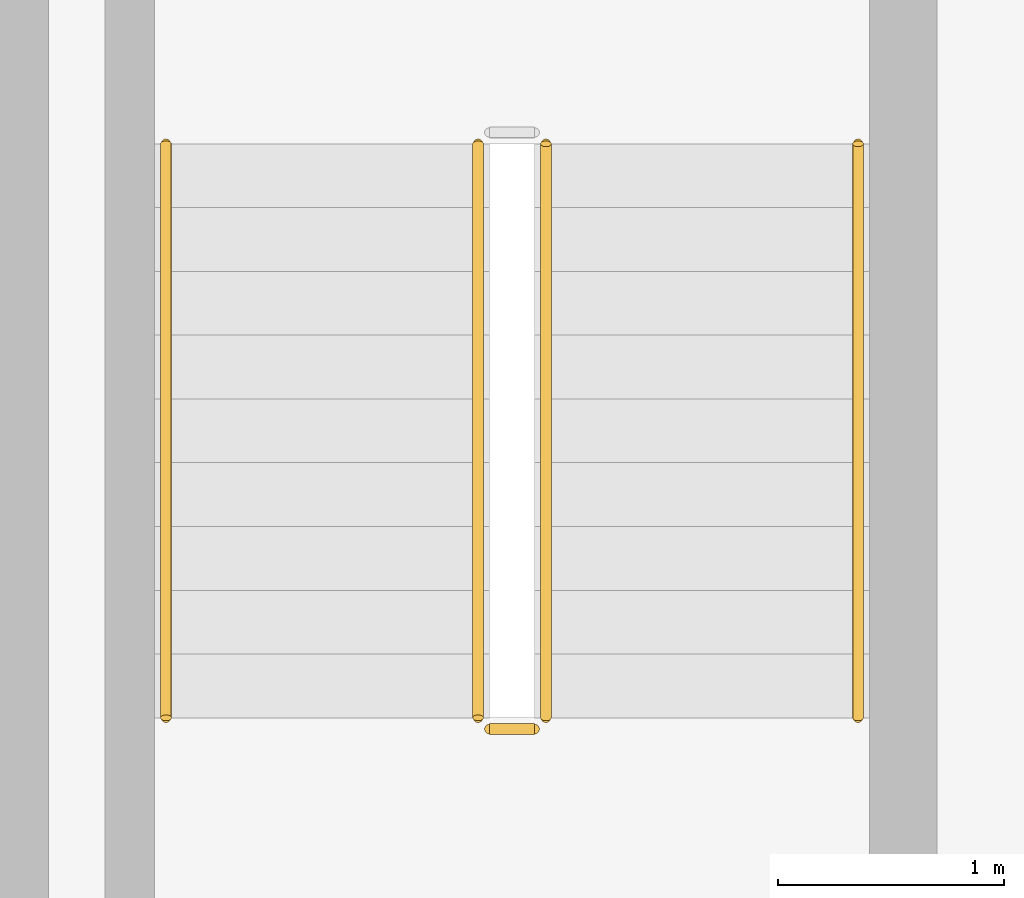
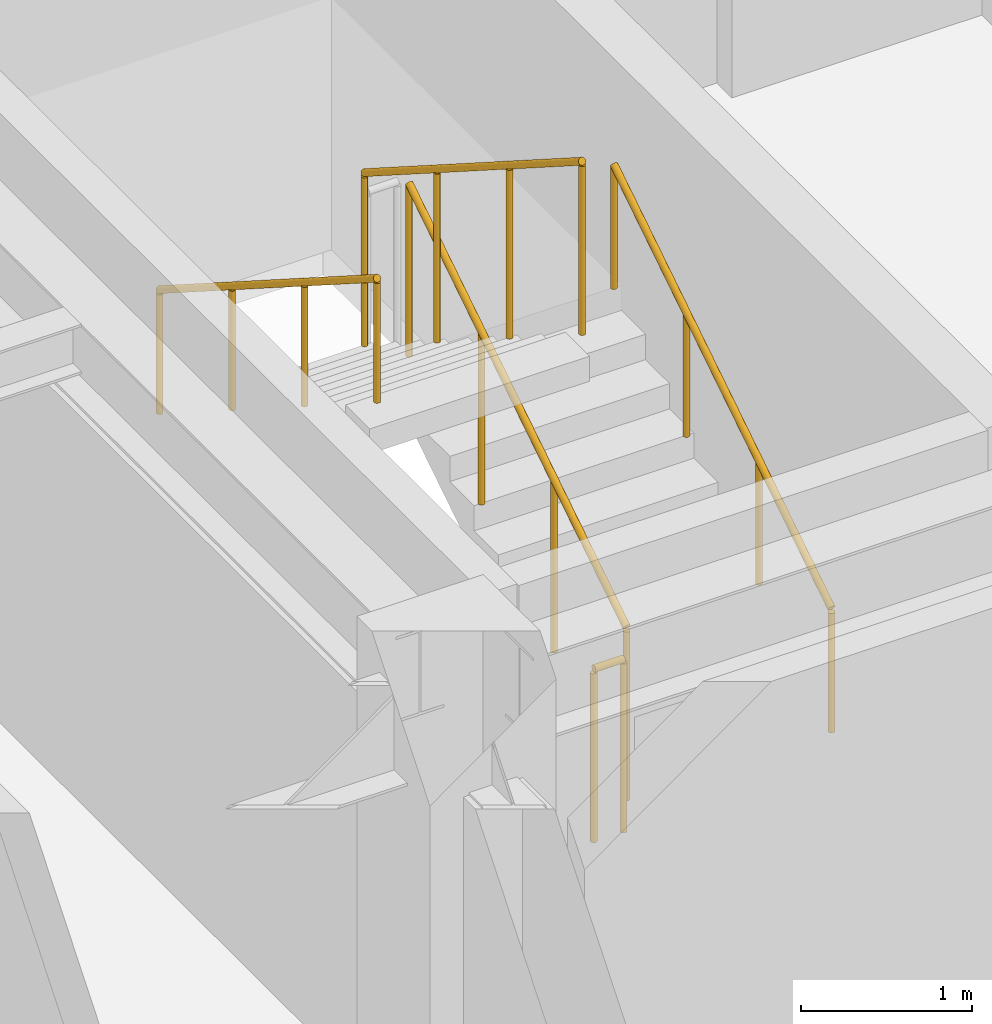
# One storey, part 9 of 11: 5 railings.
"""IFC4 building model written with IfcOpenShell, lengths in metres."""

from ifc_helpers import new_model, si_unit, direction, frame, origin, origin_2d, place, context, subcontext, project, spatial, circle, extrude, material, type_object, element, save


model = new_model("IFC4")

# Units and contexts
model_context = context("Model", 3, precision=1e-05, world=origin(), true_north=direction((0.0, 1.0)))
body_context = subcontext(model_context, "Body", "Model", "MODEL_VIEW")
ifc_project = project(units=[si_unit("LENGTHUNIT", "METRE"), si_unit("AREAUNIT", "SQUARE_METRE"), si_unit("VOLUMEUNIT", "CUBIC_METRE"), si_unit("PLANEANGLEUNIT", "RADIAN"), si_unit("MASSUNIT", "GRAM", prefix="KILO")], contexts=[model_context])

# Site, building, storey
site_placement = place(None, origin())
site = spatial("IfcSite", under=ifc_project, at=site_placement, CompositionType="ELEMENT")
building_placement = place(site_placement, origin())
building = spatial("IfcBuilding", under=site, at=building_placement, Name="Ochreholt Gables", CompositionType="ELEMENT")
storey_placement = place(building_placement, frame((0.0, 0.0, 121.199951171875)))
storey = spatial("IfcBuildingStorey", under=building, at=storey_placement, Name="L31", CompositionType="ELEMENT", Elevation=121.199951171875)

# Railings
ifc_material_1 = material(Name="Painted Steel Stair Guardrail", Category="steel")
railing_type_1 = type_object("IfcRailingType", Name="RL-ST-GUARD", PredefinedType="GUARDRAIL", material=ifc_material_1)
railing_1_placement = place(storey_placement, frame((26.64990234375, 32.4599609375, 0.179931640625)))
element("IfcRailing", 1, at=railing_1_placement, inside=storey, type_object=railing_type_1, Name="L31 ST-2 stair guard 1", PredefinedType="GUARDRAIL", context=body_context, shape_type="SweptSolid", body=[
    extrude(circle(Radius=0.02392578125, at=origin_2d()), frame((0.0, 0.0, 1.22607421875), z_axis=(0.0, 0.842912820907, 0.538050161556), x_axis=(-1.0, 0.0, 0.0)), (0.0, 0.0, 1.0), 3.010986328125),
    extrude(circle(Radius=0.02099609375, at=origin_2d()), origin(), (0.0, 0.0, 1.0), 1.201904296875),
    extrude(circle(Radius=0.02099609375, at=origin_2d()), frame((0.0, 0.845947265625, 0.5400390625)), (0.0, 0.0, 1.0), 1.201904296875),
    extrude(circle(Radius=0.02099609375, at=origin_2d()), frame((0.0, 1.692138671875, 1.080078125)), (0.0, 0.0, 1.0), 1.201904296875),
    extrude(circle(Radius=0.02099609375, at=origin_2d()), frame((0.0, 2.5380859375, 1.6201171875)), (0.0, 0.0, 1.0), 1.201904296875),
])
railing_2_placement = place(storey_placement, frame((26.35009765625, 34.998046875, 1.97998046875)))
element("IfcRailing", 2, at=railing_2_placement, inside=storey, type_object=railing_type_1, Name="L31 ST-2 stair guard 3", PredefinedType="GUARDRAIL", context=body_context, shape_type="SweptSolid", body=[
    extrude(circle(Radius=0.02392578125, at=origin_2d()), frame((0.0, 0.0, 1.22607421875), z_axis=(0.0, -0.842912820907, 0.538050161556), x_axis=(1.0, 0.0, 0.0)), (0.0, 0.0, 1.0), 3.010986328125),
    extrude(circle(Radius=0.02099609375, at=origin_2d()), origin(), (0.0, 0.0, 1.0), 1.201904296875),
    extrude(circle(Radius=0.02099609375, at=origin_2d()), frame((0.0, -0.845947265625, 0.5400390625)), (0.0, 0.0, 1.0), 1.201904296875),
    extrude(circle(Radius=0.02099609375, at=origin_2d()), frame((0.0, -1.692138671875, 1.080078125)), (0.0, 0.0, 1.0), 1.201904296875),
    extrude(circle(Radius=0.02099609375, at=origin_2d()), frame((0.0, -2.5380859375, 1.6201171875)), (0.0, 0.0, 1.0), 1.201904296875),
])
railing_3_placement = place(storey_placement, frame((26.60009765625, 32.409912109375, 0.0)))
element("IfcRailing", 3, at=railing_3_placement, inside=storey, type_object=railing_type_1, Name="L31 ST-2 stair guard 4", PredefinedType="GUARDRAIL", context=body_context, shape_type="SweptSolid", body=[
    extrude(circle(Radius=0.02392578125, at=origin_2d()), frame((0.0, 0.0, 1.22607421875), z_axis=(-1.0, 0.0, 0.0), x_axis=(0.0, -1.0, 0.0)), (0.0, 0.0, 1.0), 0.2001953125),
    extrude(circle(Radius=0.02099609375, at=origin_2d()), origin(), (0.0, 0.0, 1.0), 1.201904296875),
    extrude(circle(Radius=0.02099609375, at=origin_2d()), frame((-0.2001953125, 0.0, 0.0)), (0.0, 0.0, 1.0), 1.201904296875),
])
ifc_material_2 = material(Name="Brushed Stainless Steel Wall Handrail", Category="steel")
railing_type_2 = type_object("IfcRailingType", Name="RL-ST-HAND", PredefinedType="HANDRAIL", material=ifc_material_2)
railing_4_placement = place(storey_placement, frame((28.030029296875, 32.4599609375, 0.179931640625)))
element("IfcRailing", 4, at=railing_4_placement, inside=storey, type_object=railing_type_2, Name="L31 ST-2 stair handrail 1", PredefinedType="HANDRAIL", context=body_context, shape_type="SweptSolid", body=[
    extrude(circle(Radius=0.02392578125, at=origin_2d()), frame((0.0, 0.0, 0.8759765625), z_axis=(0.0, 0.842912820907, 0.538050161556), x_axis=(-1.0, 0.0, 0.0)), (0.0, 0.0, 1.0), 3.010986328125),
    extrude(circle(Radius=0.02099609375, at=origin_2d()), origin(), (0.0, 0.0, 1.0), 0.851806640625),
    extrude(circle(Radius=0.02099609375, at=origin_2d()), frame((0.0, 0.845947265625, 0.5400390625)), (0.0, 0.0, 1.0), 0.851806640625),
    extrude(circle(Radius=0.02099609375, at=origin_2d()), frame((0.0, 1.692138671875, 1.080078125)), (0.0, 0.0, 1.0), 0.851806640625),
    extrude(circle(Radius=0.02099609375, at=origin_2d()), frame((0.0, 2.5380859375, 1.6201171875)), (0.0, 0.0, 1.0), 0.851806640625),
])
railing_5_placement = place(storey_placement, frame((24.969970703125, 34.998046875, 1.97998046875)))
element("IfcRailing", 5, at=railing_5_placement, inside=storey, type_object=railing_type_2, Name="L31 ST-2 stair handrail 2", PredefinedType="HANDRAIL", context=body_context, shape_type="SweptSolid", body=[
    extrude(circle(Radius=0.02392578125, at=origin_2d()), frame((0.0, 0.0, 0.8759765625), z_axis=(0.0, -0.842912820907, 0.538050161556), x_axis=(1.0, 0.0, 0.0)), (0.0, 0.0, 1.0), 3.010986328125),
    extrude(circle(Radius=0.02099609375, at=origin_2d()), origin(), (0.0, 0.0, 1.0), 0.851806640625),
    extrude(circle(Radius=0.02099609375, at=origin_2d()), frame((0.0, -0.845947265625, 0.5400390625)), (0.0, 0.0, 1.0), 0.851806640625),
    extrude(circle(Radius=0.02099609375, at=origin_2d()), frame((0.0, -1.692138671875, 1.080078125)), (0.0, 0.0, 1.0), 0.851806640625),
    extrude(circle(Radius=0.02099609375, at=origin_2d()), frame((0.0, -2.5380859375, 1.6201171875)), (0.0, 0.0, 1.0), 0.851806640625),
])

save(model, "model.ifc")
